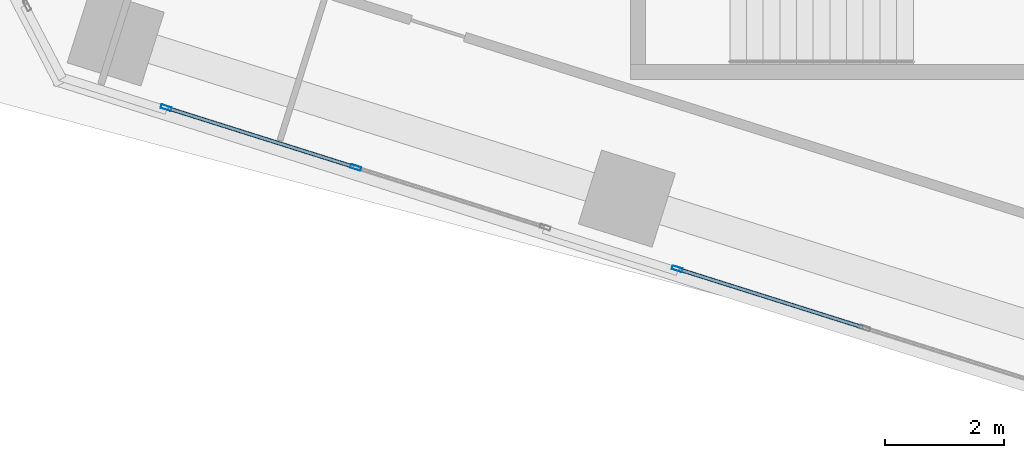
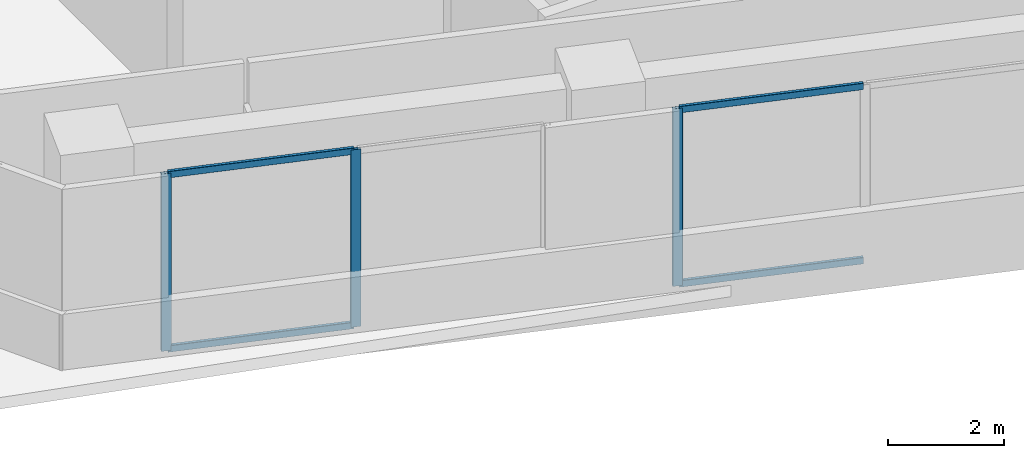
# One storey, part 2 of 28: 7 members, 2 elements without a shape of their own.
"""IFC4 building model written with IfcOpenShell, lengths in metres."""

from ifc_helpers import new_model, si_unit, direction, frame, origin, origin_2d, place, context, subcontext, project, spatial, hollow_rectangle, extrude, source, transform, mapped, material, material_profile, profile_set, type_object, element, aggregate, save


model = new_model("IFC4")

# Units and contexts
model_context = context("Model", 3, precision=1e-05, world=origin(), true_north=direction((0.0, 1.0)))
body_context = subcontext(model_context, "Body", "Model", "MODEL_VIEW")
ifc_project = project(units=[si_unit("LENGTHUNIT", "METRE"), si_unit("AREAUNIT", "SQUARE_METRE"), si_unit("VOLUMEUNIT", "CUBIC_METRE"), si_unit("PLANEANGLEUNIT", "RADIAN"), si_unit("MASSUNIT", "GRAM", prefix="KILO")], contexts=[model_context])

# Site, building, storey
site_placement = place(None, origin())
site = spatial("IfcSite", under=ifc_project, at=site_placement, CompositionType="ELEMENT")
building_placement = place(site_placement, origin())
building = spatial("IfcBuilding", under=site, at=building_placement, Name="Torre Montelarca", CompositionType="ELEMENT")
storey_placement = place(building_placement, frame((0.0, 0.0, 112.60009765625)))
storey = spatial("IfcBuildingStorey", under=building, at=storey_placement, Name="L25", CompositionType="ELEMENT", Elevation=112.60009765625)

# Curtain wall, members
ifc_material_1 = material(Name="Insulated low-E laminated glass", Category="glass")
curtain_wall_type = type_object("IfcCurtainWallType", Name="CW-SYS-Z1", PredefinedType="USERDEFINED", material=ifc_material_1)
curtain_wall_1_placement = place(storey_placement, origin())
curtain_wall_1 = element("IfcCurtainWall", 1, at=curtain_wall_1_placement, inside=storey, type_object=curtain_wall_type, Name="L25 Curtain Wall Run CW-T3-L25-E01-B1", ObjectType="UNITISED GLAZING", PredefinedType="USERDEFINED")
ifc_material_2 = material(Name="Anodised aluminium AA 6063-T6", Category="aluminium")
ifc_material_profile_1 = material_profile(ifc_material_2, hollow_rectangle(XDim=0.06494140625, YDim=0.139892578125, WallThickness=0.00390625, InnerFilletRadius=0.00390625, OuterFilletRadius=0.008056640625, at=origin_2d()), Name="ALU65X140X4", Category="aluminium")
ifc_profile_set_1 = profile_set([ifc_material_profile_1], Name="Anodised aluminium AA 6063-T6")
member_type_1 = type_object("IfcMemberType", Name="CWT-ALU140", PredefinedType="USERDEFINED", material=ifc_profile_set_1)
shared_shape_1 = source(origin(), body_context, "Body", "SweptSolid", [
    extrude(hollow_rectangle(XDim=0.06494140625, YDim=0.139892578125, WallThickness=0.00390625, InnerFilletRadius=0.00390625, OuterFilletRadius=0.008056640625, at=origin_2d()), origin(), (0.0, 0.0, 1.0), 3.2724609375),
])
member_1_placement = place(storey_placement, frame((5.284423828125, 18.165771484375, 0.032470703125), z_axis=(0.953733631686, -0.300652889213, 0.0), x_axis=(0.300652889213, 0.953733631686, 0.0)))
member_1 = element("IfcMember", 2, at=member_1_placement, type_object=member_type_1, Name="CW transom 1.1", ObjectType="TRANSOM", PredefinedType="USERDEFINED", context=body_context, shape_type="MappedRepresentation", body=[
    mapped(shared_shape_1, transform((0.0, 0.0, 0.0), scale=1.0)),
])
member_2_placement = place(storey_placement, frame((5.284423828125, 18.165771484375, 3.6875), z_axis=(0.953733631686, -0.300652889213, 0.0), x_axis=(0.300652889213, 0.953733631686, 0.0)))
member_2 = element("IfcMember", 3, at=member_2_placement, type_object=member_type_1, Name="CW transom 1.2", ObjectType="TRANSOM", PredefinedType="USERDEFINED", context=body_context, shape_type="MappedRepresentation", body=[
    mapped(shared_shape_1, transform((0.0, 0.0, 0.0), scale=1.0)),
])

curtain_wall_2_placement = place(storey_placement, origin())
curtain_wall_2 = element("IfcCurtainWall", 4, at=curtain_wall_2_placement, inside=storey, type_object=curtain_wall_type, Name="L25 Curtain Wall Run CW-T3-L25-E01-B2", ObjectType="UNITISED GLAZING", PredefinedType="USERDEFINED")
shared_shape_2 = source(origin(), body_context, "Body", "SweptSolid", [
    extrude(hollow_rectangle(XDim=0.06494140625, YDim=0.139892578125, WallThickness=0.00390625, InnerFilletRadius=0.00390625, OuterFilletRadius=0.008056640625, at=origin_2d()), origin(), (0.0, 0.0, 1.0), 3.235107421875),
])
member_3_placement = place(storey_placement, frame((13.867919921875, 15.45947265625, 0.032470703125), z_axis=(0.953733096798, -0.300654585982, 0.0), x_axis=(0.300654585982, 0.953733096798, 0.0)))
member_3 = element("IfcMember", 5, at=member_3_placement, type_object=member_type_1, Name="CW transom 1.1", ObjectType="TRANSOM", PredefinedType="USERDEFINED", context=body_context, shape_type="MappedRepresentation", body=[
    mapped(shared_shape_2, transform((0.0, 0.0, 0.0), scale=1.0)),
])
member_4_placement = place(storey_placement, frame((13.867919921875, 15.45947265625, 3.6875), z_axis=(0.953733096798, -0.300654585982, 0.0), x_axis=(0.300654585982, 0.953733096798, 0.0)))
member_4 = element("IfcMember", 6, at=member_4_placement, type_object=member_type_1, Name="CW transom 1.2", ObjectType="TRANSOM", PredefinedType="USERDEFINED", context=body_context, shape_type="MappedRepresentation", body=[
    mapped(shared_shape_2, transform((0.0, 0.0, 0.0), scale=1.0)),
])

# Member
ifc_material_profile_2 = material_profile(ifc_material_2, hollow_rectangle(XDim=0.06494140625, YDim=0.179931640625, WallThickness=0.00390625, InnerFilletRadius=0.00390625, OuterFilletRadius=0.008056640625, at=origin_2d()), Name="ALU65X180X4", Category="aluminium")
ifc_profile_set_2 = profile_set([ifc_material_profile_2], Name="Anodised aluminium AA 6063-T6")
member_type_2 = type_object("IfcMemberType", Name="CWM-ALU180", PredefinedType="MULLION", material=ifc_profile_set_2)
shared_shape_3 = source(origin(), body_context, "Body", "SweptSolid", [
    extrude(hollow_rectangle(XDim=0.06494140625, YDim=0.179931640625, WallThickness=0.00390625, InnerFilletRadius=0.00390625, OuterFilletRadius=0.008056640625, at=origin_2d()), origin(), (0.0, 0.0, 1.0), 3.719970703125),
])
member_5_placement = place(storey_placement, frame((5.25341796875, 18.175537109375, 0.0), z_axis=(0.0, 0.0, 1.0), x_axis=(0.300709558589, 0.953715765505, 0.0)))
member_5 = element("IfcMember", 7, at=member_5_placement, type_object=member_type_2, Name="CW mullion 1", PredefinedType="MULLION", context=body_context, shape_type="MappedRepresentation", body=[
    mapped(shared_shape_3, transform((0.0, 0.0, 0.0), scale=1.0)),
])

member_6_placement = place(storey_placement, frame((8.4365234375, 17.172119140625, 0.0), z_axis=(0.0, 0.0, 1.0), x_axis=(0.300709558589, 0.953715765505, 0.0)))
member_6 = element("IfcMember", 8, at=member_6_placement, type_object=member_type_2, Name="CW mullion 2", PredefinedType="MULLION", context=body_context, shape_type="MappedRepresentation", body=[
    mapped(shared_shape_3, transform((0.0, 0.0, 0.0), scale=1.0)),
])

aggregate(curtain_wall_1, [member_5, member_6, member_1, member_2])

member_7_placement = place(storey_placement, frame((13.8369140625, 15.46923828125, 0.0), z_axis=(0.0, 0.0, 1.0), x_axis=(0.300692595648, 0.953721113808, 0.0)))
member_7 = element("IfcMember", 9, at=member_7_placement, type_object=member_type_2, Name="CW mullion 1", PredefinedType="MULLION", context=body_context, shape_type="MappedRepresentation", body=[
    mapped(shared_shape_3, transform((0.0, 0.0, 0.0), scale=1.0)),
])

aggregate(curtain_wall_2, [member_7, member_3, member_4])

save(model, "model.ifc")
